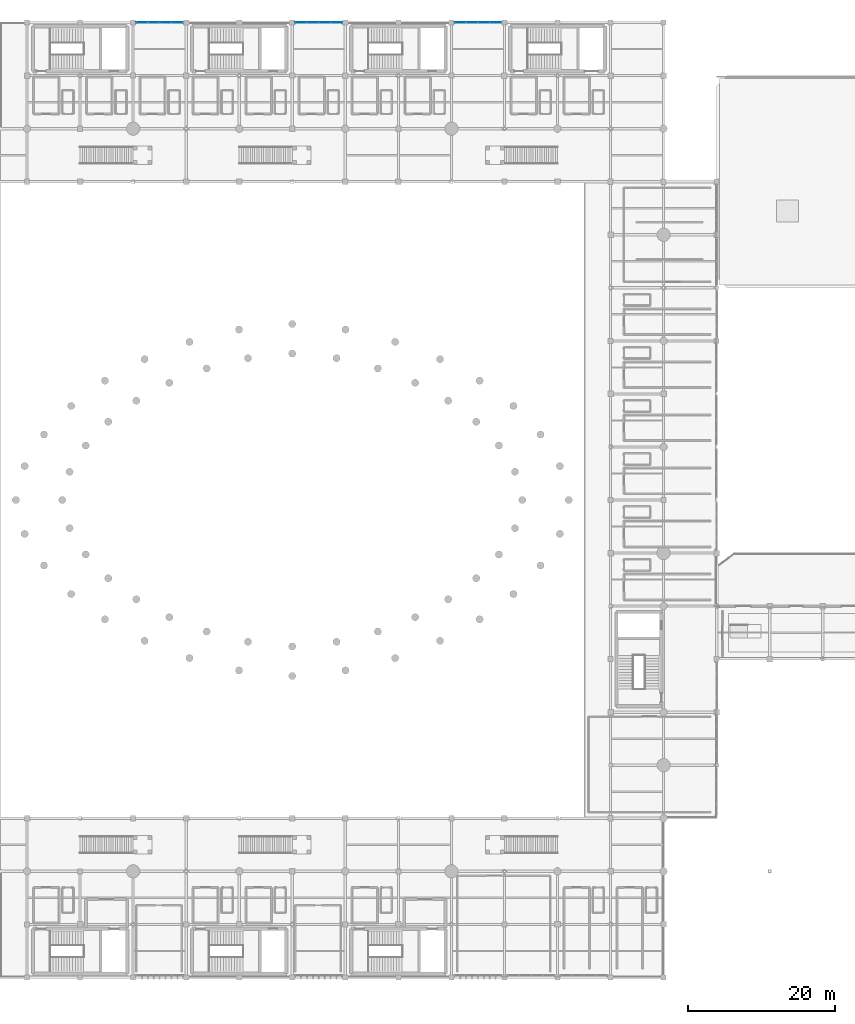
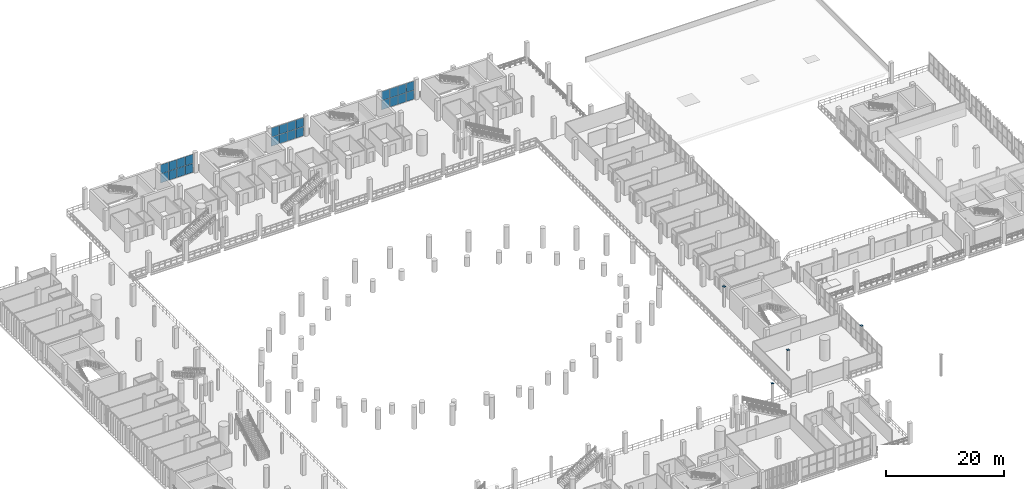
# One storey, part 98 of 130: 28 plates, 3 elements without a shape of their own.
"""IFC4 building model written with IfcOpenShell, lengths in metres."""

from ifc_helpers import new_model, si_unit, direction, frame, origin, origin_2d, place, context, subcontext, project, spatial, rectangle, extrude, material, layer, layer_set, type_object, element, aggregate, save


model = new_model("IFC4")

# Units and contexts
model_context = context("Model", 3, precision=1e-05, world=origin(), true_north=direction((0.0, 1.0)))
body_context = subcontext(model_context, "Body", "Model", "MODEL_VIEW")
ifc_project = project(units=[si_unit("LENGTHUNIT", "METRE"), si_unit("AREAUNIT", "SQUARE_METRE"), si_unit("VOLUMEUNIT", "CUBIC_METRE"), si_unit("PLANEANGLEUNIT", "RADIAN"), si_unit("MASSUNIT", "GRAM", prefix="KILO")], contexts=[model_context])

# Site, building, storey
site_placement = place(None, origin())
site = spatial("IfcSite", under=ifc_project, at=site_placement, CompositionType="ELEMENT")
building_placement = place(site_placement, origin())
building = spatial("IfcBuilding", under=site, at=building_placement, Name="Qandorah Velis Arena", CompositionType="ELEMENT")
storey_placement = place(building_placement, frame((0.0, 0.0, 9.60009765625)))
storey = spatial("IfcBuildingStorey", under=building, at=storey_placement, Name="L02", CompositionType="ELEMENT", Elevation=9.60009765625)

# Curtain wall, plates
ifc_material_1 = material(Name="Solar-control low-E double glazing", Category="glass")
curtain_wall_type_1 = type_object("IfcCurtainWallType", Name="ARC-CW-SYS15", PredefinedType="USERDEFINED", material=ifc_material_1)
curtain_wall_1_placement = place(storey_placement, origin())
curtain_wall_1 = element("IfcCurtainWall", 1, at=curtain_wall_1_placement, inside=storey, type_object=curtain_wall_type_1, Name="Unitised curtain wall L02-087", ObjectType="UNITISED CURTAIN WALL", PredefinedType="USERDEFINED")
ifc_layer_1 = layer(ifc_material_1, 0.030029296875)
ifc_layer_set_1 = layer_set([ifc_layer_1], Name="Solar-control low-E double glazing")
plate_type_1 = type_object("IfcPlateType", Name="ARC-CWP-GLZ30", PredefinedType="CURTAIN_PANEL", material=ifc_layer_set_1)
plate_1_placement = place(storey_placement, frame((87.59619140625, 129.60009765625, 0.0498046875), z_axis=(0.0, 0.0, 1.0), x_axis=(1.0, 0.0, 0.0)))
plate_1 = element("IfcPlate", 2, at=plate_1_placement, type_object=plate_type_1, Name="CW15 panel 1.1", PredefinedType="CURTAIN_PANEL", context=body_context, shape_type="SweptSolid", body=[
    extrude(rectangle(XDim=1.54248046875, YDim=0.030029296875, at=origin_2d()), origin(), (0.0, 0.0, 1.0), 1.8701171875),
])
plate_2_placement = place(storey_placement, frame((87.59619140625, 129.60009765625, 1.9599609375), z_axis=(0.0, 0.0, 1.0), x_axis=(1.0, 0.0, 0.0)))
plate_2 = element("IfcPlate", 3, at=plate_2_placement, type_object=plate_type_1, Name="CW15 panel 1.2", PredefinedType="CURTAIN_PANEL", context=body_context, shape_type="SweptSolid", body=[
    extrude(rectangle(XDim=1.54248046875, YDim=0.030029296875, at=origin_2d()), origin(), (0.0, 0.0, 1.0), 1.8701171875),
])
plate_3_placement = place(storey_placement, frame((89.19384765625, 129.60009765625, 0.0498046875), z_axis=(0.0, 0.0, 1.0), x_axis=(1.0, 0.0, 0.0)))
plate_3 = element("IfcPlate", 4, at=plate_3_placement, type_object=plate_type_1, Name="CW15 panel 2.1", PredefinedType="CURTAIN_PANEL", context=body_context, shape_type="SweptSolid", body=[
    extrude(rectangle(XDim=1.572509765625, YDim=0.030029296875, at=origin_2d()), origin(), (0.0, 0.0, 1.0), 1.8701171875),
])
plate_4_placement = place(storey_placement, frame((89.19384765625, 129.60009765625, 1.9599609375), z_axis=(0.0, 0.0, 1.0), x_axis=(1.0, 0.0, 0.0)))
plate_4 = element("IfcPlate", 5, at=plate_4_placement, type_object=plate_type_1, Name="CW15 panel 2.2", PredefinedType="CURTAIN_PANEL", context=body_context, shape_type="SweptSolid", body=[
    extrude(rectangle(XDim=1.572509765625, YDim=0.030029296875, at=origin_2d()), origin(), (0.0, 0.0, 1.0), 1.8701171875),
])
plate_5_placement = place(storey_placement, frame((90.80615234375, 129.60009765625, 0.0498046875), z_axis=(0.0, 0.0, 1.0), x_axis=(1.0, 0.0, 0.0)))
plate_5 = element("IfcPlate", 6, at=plate_5_placement, type_object=plate_type_1, Name="CW15 panel 3.1", PredefinedType="CURTAIN_PANEL", context=body_context, shape_type="SweptSolid", body=[
    extrude(rectangle(XDim=1.572509765625, YDim=0.030029296875, at=origin_2d()), origin(), (0.0, 0.0, 1.0), 1.8701171875),
])
plate_6_placement = place(storey_placement, frame((90.80615234375, 129.60009765625, 1.9599609375), z_axis=(0.0, 0.0, 1.0), x_axis=(1.0, 0.0, 0.0)))
plate_6 = element("IfcPlate", 7, at=plate_6_placement, type_object=plate_type_1, Name="CW15 panel 3.2", PredefinedType="CURTAIN_PANEL", context=body_context, shape_type="SweptSolid", body=[
    extrude(rectangle(XDim=1.572509765625, YDim=0.030029296875, at=origin_2d()), origin(), (0.0, 0.0, 1.0), 1.8701171875),
])
plate_7_placement = place(storey_placement, frame((92.40380859375, 129.60009765625, 0.0498046875), z_axis=(0.0, 0.0, 1.0), x_axis=(1.0, 0.0, 0.0)))
plate_7 = element("IfcPlate", 8, at=plate_7_placement, type_object=plate_type_1, Name="CW15 panel 4.1", PredefinedType="CURTAIN_PANEL", context=body_context, shape_type="SweptSolid", body=[
    extrude(rectangle(XDim=1.54248046875, YDim=0.030029296875, at=origin_2d()), origin(), (0.0, 0.0, 1.0), 1.8701171875),
])
plate_8_placement = place(storey_placement, frame((92.40380859375, 129.60009765625, 1.9599609375), z_axis=(0.0, 0.0, 1.0), x_axis=(1.0, 0.0, 0.0)))
plate_8 = element("IfcPlate", 9, at=plate_8_placement, type_object=plate_type_1, Name="CW15 panel 4.2", PredefinedType="CURTAIN_PANEL", context=body_context, shape_type="SweptSolid", body=[
    extrude(rectangle(XDim=1.54248046875, YDim=0.030029296875, at=origin_2d()), origin(), (0.0, 0.0, 1.0), 1.8701171875),
])
aggregate(curtain_wall_1, [plate_1, plate_2, plate_3, plate_4, plate_5, plate_6, plate_7, plate_8])

curtain_wall_type_2 = type_object("IfcCurtainWallType", Name="ARC-CW-SYS14", PredefinedType="USERDEFINED", material=ifc_material_1)
curtain_wall_2_placement = place(storey_placement, origin())
curtain_wall_2 = element("IfcCurtainWall", 10, at=curtain_wall_2_placement, inside=storey, type_object=curtain_wall_type_2, Name="Unitised curtain wall L02-086", ObjectType="UNITISED CURTAIN WALL", PredefinedType="USERDEFINED")
ifc_layer_2 = layer(ifc_material_1, 0.035888671875)
ifc_layer_set_2 = layer_set([ifc_layer_2], Name="Solar-control low-E double glazing")
plate_type_2 = type_object("IfcPlateType", Name="ARC-CWP-GLZ36", PredefinedType="CURTAIN_PANEL", material=ifc_layer_set_2)
plate_9_placement = place(storey_placement, frame((65.99755859375, 129.60009765625, 0.0546875), z_axis=(0.0, 0.0, 1.0), x_axis=(1.0, 0.0, 0.0)))
plate_9 = element("IfcPlate", 11, at=plate_9_placement, type_object=plate_type_2, Name="CW14 panel 1.1", PredefinedType="CURTAIN_PANEL", context=body_context, shape_type="SweptSolid", body=[
    extrude(rectangle(XDim=1.534912109375, YDim=0.035888671875, at=origin_2d()), origin(), (0.0, 0.0, 1.0), 1.862548828125),
])
plate_10_placement = place(storey_placement, frame((65.99755859375, 129.60009765625, 1.96240234375), z_axis=(0.0, 0.0, 1.0), x_axis=(1.0, 0.0, 0.0)))
plate_10 = element("IfcPlate", 12, at=plate_10_placement, type_object=plate_type_2, Name="CW14 panel 1.2", PredefinedType="CURTAIN_PANEL", context=body_context, shape_type="SweptSolid", body=[
    extrude(rectangle(XDim=1.534912109375, YDim=0.035888671875, at=origin_2d()), origin(), (0.0, 0.0, 1.0), 1.862548828125),
])
plate_11_placement = place(storey_placement, frame((67.59375, 129.60009765625, 0.0546875), z_axis=(0.0, 0.0, 1.0), x_axis=(1.0, 0.0, 0.0)))
plate_11 = element("IfcPlate", 13, at=plate_11_placement, type_object=plate_type_2, Name="CW14 panel 2.1", PredefinedType="CURTAIN_PANEL", context=body_context, shape_type="SweptSolid", body=[
    extrude(rectangle(XDim=1.5673828125, YDim=0.035888671875, at=origin_2d()), origin(), (0.0, 0.0, 1.0), 1.862548828125),
])
plate_12_placement = place(storey_placement, frame((67.59375, 129.60009765625, 1.96240234375), z_axis=(0.0, 0.0, 1.0), x_axis=(1.0, 0.0, 0.0)))
plate_12 = element("IfcPlate", 14, at=plate_12_placement, type_object=plate_type_2, Name="CW14 panel 2.2", PredefinedType="CURTAIN_PANEL", context=body_context, shape_type="SweptSolid", body=[
    extrude(rectangle(XDim=1.5673828125, YDim=0.035888671875, at=origin_2d()), origin(), (0.0, 0.0, 1.0), 1.862548828125),
])
plate_13_placement = place(storey_placement, frame((69.206298828125, 129.60009765625, 0.0546875), z_axis=(0.0, 0.0, 1.0), x_axis=(1.0, 0.0, 0.0)))
plate_13 = element("IfcPlate", 15, at=plate_13_placement, type_object=plate_type_2, Name="CW14 panel 3.1", PredefinedType="CURTAIN_PANEL", context=body_context, shape_type="SweptSolid", body=[
    extrude(rectangle(XDim=1.5673828125, YDim=0.035888671875, at=origin_2d()), origin(), (0.0, 0.0, 1.0), 1.862548828125),
])
plate_14_placement = place(storey_placement, frame((69.206298828125, 129.60009765625, 1.96240234375), z_axis=(0.0, 0.0, 1.0), x_axis=(1.0, 0.0, 0.0)))
plate_14 = element("IfcPlate", 16, at=plate_14_placement, type_object=plate_type_2, Name="CW14 panel 3.2", PredefinedType="CURTAIN_PANEL", context=body_context, shape_type="SweptSolid", body=[
    extrude(rectangle(XDim=1.5673828125, YDim=0.035888671875, at=origin_2d()), origin(), (0.0, 0.0, 1.0), 1.862548828125),
])
plate_15_placement = place(storey_placement, frame((70.802490234375, 129.60009765625, 0.0546875), z_axis=(0.0, 0.0, 1.0), x_axis=(1.0, 0.0, 0.0)))
plate_15 = element("IfcPlate", 17, at=plate_15_placement, type_object=plate_type_2, Name="CW14 panel 4.1", PredefinedType="CURTAIN_PANEL", context=body_context, shape_type="SweptSolid", body=[
    extrude(rectangle(XDim=1.534912109375, YDim=0.035888671875, at=origin_2d()), origin(), (0.0, 0.0, 1.0), 1.862548828125),
])
plate_16_placement = place(storey_placement, frame((70.802490234375, 129.60009765625, 1.96240234375), z_axis=(0.0, 0.0, 1.0), x_axis=(1.0, 0.0, 0.0)))
plate_16 = element("IfcPlate", 18, at=plate_16_placement, type_object=plate_type_2, Name="CW14 panel 4.2", PredefinedType="CURTAIN_PANEL", context=body_context, shape_type="SweptSolid", body=[
    extrude(rectangle(XDim=1.534912109375, YDim=0.035888671875, at=origin_2d()), origin(), (0.0, 0.0, 1.0), 1.862548828125),
])
aggregate(curtain_wall_2, [plate_9, plate_10, plate_11, plate_12, plate_13, plate_14, plate_15, plate_16])

curtain_wall_type_3 = type_object("IfcCurtainWallType", Name="ARC-CW-SYS13", PredefinedType="USERDEFINED", material=ifc_material_1)
curtain_wall_3_placement = place(storey_placement, origin())
curtain_wall_3 = element("IfcCurtainWall", 19, at=curtain_wall_3_placement, inside=storey, type_object=curtain_wall_type_3, Name="Unitised curtain wall L02-085", ObjectType="UNITISED CURTAIN WALL", PredefinedType="USERDEFINED")
ifc_layer_3 = layer(ifc_material_1, 0.0439453125)
ifc_layer_set_3 = layer_set([ifc_layer_3], Name="Solar-control low-E double glazing")
plate_type_3 = type_object("IfcPlateType", Name="ARC-CWP-SPN44", PredefinedType="CURTAIN_PANEL", material=ifc_layer_set_3)
plate_17_placement = place(storey_placement, frame((44.39990234375, 129.60009765625, 0.06494140625), z_axis=(0.0, 0.0, 1.0), x_axis=(1.0, 0.0, 0.0)))
plate_17 = element("IfcPlate", 20, at=plate_17_placement, type_object=plate_type_3, Name="CW13 panel 1.1", PredefinedType="CURTAIN_PANEL", context=body_context, shape_type="SweptSolid", body=[
    extrude(rectangle(XDim=1.52001953125, YDim=0.0439453125, at=origin_2d()), origin(), (0.0, 0.0, 1.0), 1.847412109375),
])
plate_18_placement = place(storey_placement, frame((44.39990234375, 129.60009765625, 1.96728515625), z_axis=(0.0, 0.0, 1.0), x_axis=(1.0, 0.0, 0.0)))
plate_18 = element("IfcPlate", 21, at=plate_18_placement, type_object=plate_type_3, Name="CW13 panel 1.2", PredefinedType="CURTAIN_PANEL", context=body_context, shape_type="SweptSolid", body=[
    extrude(rectangle(XDim=1.52001953125, YDim=0.0439453125, at=origin_2d()), origin(), (0.0, 0.0, 1.0), 1.847412109375),
])
plate_19_placement = place(storey_placement, frame((45.99365234375, 129.60009765625, 0.06494140625), z_axis=(0.0, 0.0, 1.0), x_axis=(1.0, 0.0, 0.0)))
plate_19 = element("IfcPlate", 22, at=plate_19_placement, type_object=plate_type_3, Name="CW13 panel 2.1", PredefinedType="CURTAIN_PANEL", context=body_context, shape_type="SweptSolid", body=[
    extrude(rectangle(XDim=1.5576171875, YDim=0.0439453125, at=origin_2d()), origin(), (0.0, 0.0, 1.0), 1.847412109375),
])
plate_20_placement = place(storey_placement, frame((45.99365234375, 129.60009765625, 1.96728515625), z_axis=(0.0, 0.0, 1.0), x_axis=(1.0, 0.0, 0.0)))
plate_20 = element("IfcPlate", 23, at=plate_20_placement, type_object=plate_type_3, Name="CW13 panel 2.2", PredefinedType="CURTAIN_PANEL", context=body_context, shape_type="SweptSolid", body=[
    extrude(rectangle(XDim=1.5576171875, YDim=0.0439453125, at=origin_2d()), origin(), (0.0, 0.0, 1.0), 1.847412109375),
])
plate_21_placement = place(storey_placement, frame((47.606201171875, 129.60009765625, 0.06494140625), z_axis=(0.0, 0.0, 1.0), x_axis=(1.0, 0.0, 0.0)))
plate_21 = element("IfcPlate", 24, at=plate_21_placement, type_object=plate_type_3, Name="CW13 panel 3.1", PredefinedType="CURTAIN_PANEL", context=body_context, shape_type="SweptSolid", body=[
    extrude(rectangle(XDim=1.5576171875, YDim=0.0439453125, at=origin_2d()), origin(), (0.0, 0.0, 1.0), 1.847412109375),
])
plate_22_placement = place(storey_placement, frame((47.606201171875, 129.60009765625, 1.96728515625), z_axis=(0.0, 0.0, 1.0), x_axis=(1.0, 0.0, 0.0)))
plate_22 = element("IfcPlate", 25, at=plate_22_placement, type_object=plate_type_3, Name="CW13 panel 3.2", PredefinedType="CURTAIN_PANEL", context=body_context, shape_type="SweptSolid", body=[
    extrude(rectangle(XDim=1.5576171875, YDim=0.0439453125, at=origin_2d()), origin(), (0.0, 0.0, 1.0), 1.847412109375),
])
plate_23_placement = place(storey_placement, frame((49.199951171875, 129.60009765625, 0.06494140625), z_axis=(0.0, 0.0, 1.0), x_axis=(1.0, 0.0, 0.0)))
plate_23 = element("IfcPlate", 26, at=plate_23_placement, type_object=plate_type_3, Name="CW13 panel 4.1", PredefinedType="CURTAIN_PANEL", context=body_context, shape_type="SweptSolid", body=[
    extrude(rectangle(XDim=1.52001953125, YDim=0.0439453125, at=origin_2d()), origin(), (0.0, 0.0, 1.0), 1.847412109375),
])
plate_24_placement = place(storey_placement, frame((49.199951171875, 129.60009765625, 1.96728515625), z_axis=(0.0, 0.0, 1.0), x_axis=(1.0, 0.0, 0.0)))
plate_24 = element("IfcPlate", 27, at=plate_24_placement, type_object=plate_type_3, Name="CW13 panel 4.2", PredefinedType="CURTAIN_PANEL", context=body_context, shape_type="SweptSolid", body=[
    extrude(rectangle(XDim=1.52001953125, YDim=0.0439453125, at=origin_2d()), origin(), (0.0, 0.0, 1.0), 1.847412109375),
])
aggregate(curtain_wall_3, [plate_17, plate_18, plate_19, plate_20, plate_21, plate_22, plate_23, plate_24])

# Plates
ifc_material_2 = material(Name="Steel S355", Category="steel")
ifc_layer_4 = layer(ifc_material_2, 0.02490234375)
ifc_layer_set_4 = layer_set([ifc_layer_4], Name="Steel S355")
plate_type_4 = type_object("IfcPlateType", Name="STR-PLT-GUS25", PredefinedType="SHEET", material=ifc_layer_set_4)
for number, where, z_axis, x_axis, name in (
    (28, (100.800048828125, 21.60009765625, 4.197509765625), (0.0, 0.0, 1.0), (1.0, 0.0, 0.0), "Hollow column end cap plate L02-143"),
    (29, (108.0, 28.800048828125, 4.197509765625), (0.0, 0.0, 1.0), (1.0, 0.0, 0.0), "Hollow column end cap plate L02-152"),
    (30, (108.0, 50.39990234375, 4.197509765625), (0.0, 0.0, 1.0), (1.0, 0.0, 0.0), "Hollow column end cap plate L02-155"),
    (31, (122.39990234375, 28.800048828125, 4.197509765625), (0.0, 0.0, 1.0), (1.0, 0.0, 0.0), "Hollow column end cap plate L02-185"),
):
    element("IfcPlate", number, at=place(storey_placement, frame(where, z_axis=z_axis, x_axis=x_axis)), inside=storey, type_object=plate_type_4, Name=name, PredefinedType="SHEET", context=body_context, shape_type="SweptSolid", body=[
        extrude(rectangle(XDim=0.43994140625, YDim=0.43994140625, at=origin_2d()), origin(), (0.0, 0.0, 1.0), 0.02490234375),
    ])

save(model, "model.ifc")
